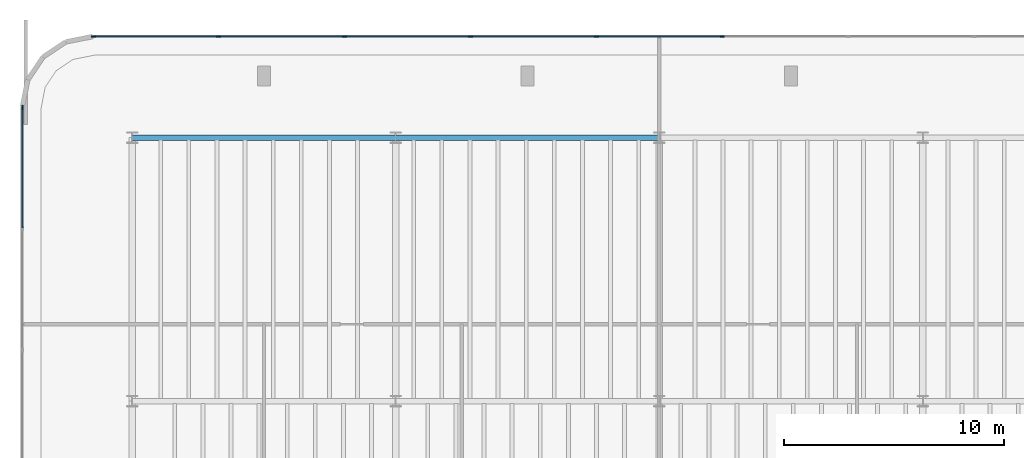
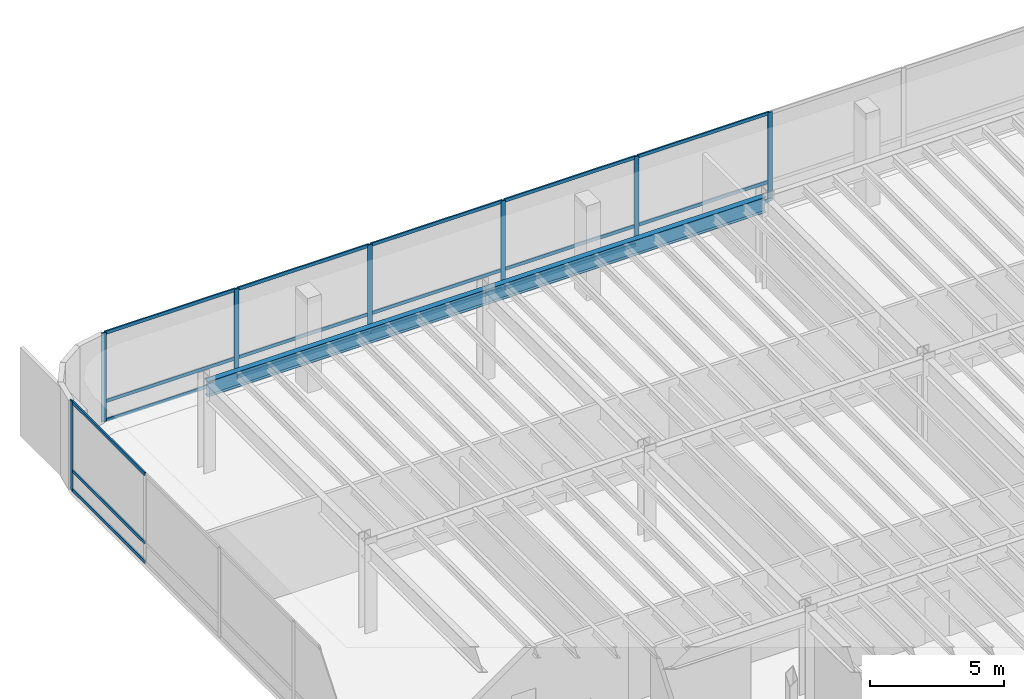
# One storey, part 8 of 18: 25 members, 2 beams, 2 elements without a shape of their own.
"""IFC4 building model written with IfcOpenShell, lengths in metres."""

from ifc_helpers import new_model, si_unit, direction, frame, origin, origin_2d, place, context, subcontext, project, spatial, rectangle, i_section, extrude, source, transform, mapped, material, layer, layer_set, material_profile, profile_set, type_object, element, aggregate, save


model = new_model("IFC4")

# Units and contexts
model_context = context("Model", 3, precision=1e-05, world=origin(), true_north=direction((0.0, 1.0)))
body_context = subcontext(model_context, "Body", "Model", "MODEL_VIEW")
ifc_project = project(units=[si_unit("LENGTHUNIT", "METRE"), si_unit("AREAUNIT", "SQUARE_METRE"), si_unit("VOLUMEUNIT", "CUBIC_METRE"), si_unit("PLANEANGLEUNIT", "RADIAN"), si_unit("MASSUNIT", "GRAM", prefix="KILO")], contexts=[model_context])

# Site, building, storey
site_placement = place(None, origin())
site = spatial("IfcSite", under=ifc_project, at=site_placement, CompositionType="ELEMENT")
building_placement = place(site_placement, origin())
building = spatial("IfcBuilding", under=site, at=building_placement, Name="Brelvock Crest Care Tower", CompositionType="ELEMENT")
storey_placement = place(building_placement, frame((0.0, 0.0, 9.719970703125)))
storey = spatial("IfcBuildingStorey", under=building, at=storey_placement, Name="L02", CompositionType="ELEMENT", Elevation=9.719970703125)

# Beams
ifc_material_1 = material(Name="Steel Grade 350", Category="steel")
ifc_material_profile_1 = material_profile(ifc_material_1, i_section(OverallWidth=0.25, OverallDepth=0.699951171875, WebThickness=0.011962890625, FlangeThickness=0.02001953125, at=origin_2d()), Name="700WB150")
ifc_profile_set_1 = profile_set([ifc_material_profile_1], Name="Steel Grade 350")
beam_type = type_object("IfcBeamType", Name="BM-G4", PredefinedType="BEAM", material=ifc_profile_set_1)
shared_shape_1 = source(origin(), body_context, "Body", "SweptSolid", [
    extrude(i_section(OverallWidth=0.25, OverallDepth=0.699951171875, WebThickness=0.011962890625, FlangeThickness=0.02001953125, at=origin_2d()), origin(), (0.0, 0.0, 1.0), 12.0),
])
for number, where, z_axis, x_axis, name in (
    (1, (12.0, 54.0, 3.68994140625), (1.0, 0.0, 0.0), (0.0, 1.0, 0.0), "BM-PODX-L02-54-12"),
    (2, (24.0, 54.0, 3.68994140625), (1.0, 0.0, 0.0), (0.0, 1.0, 0.0), "BM-PODX-L02-54-24"),
):
    element("IfcBeam", number, at=place(storey_placement, frame(where, z_axis=z_axis, x_axis=x_axis)), inside=storey, type_object=beam_type, Name=name, PredefinedType="BEAM", context=body_context, shape_type="MappedRepresentation", body=[
        mapped(shared_shape_1, transform((0.0, 0.0, 0.0), x_axis=(1.0, 0.0, 0.0), y_axis=(0.0, 1.0, 0.0), z_axis=(0.0, 0.0, 1.0), scale=1.0)),
    ])

# Curtain wall, member
ifc_material_2 = material(Name="Dark Glass Double Glazed Low-E", Category="glass")
ifc_layer = layer(ifc_material_2, 0.179931640625, Name="CWS-1")
ifc_layer_set = layer_set([ifc_layer], Name="Dark Glass Double Glazed Low-E")
curtain_wall_type = type_object("IfcCurtainWallType", Name="CWS-1", PredefinedType="NOTDEFINED", material=ifc_layer_set)
curtain_wall_1_placement = place(storey_placement, origin())
curtain_wall_1 = element("IfcCurtainWall", 3, at=curtain_wall_1_placement, inside=storey, type_object=curtain_wall_type, Name="L02 Curtain Wall E04", PredefinedType="NOTDEFINED")
ifc_material_3 = material(Name="Aluminium 6063-T6", Category="aluminium")
ifc_material_profile_2 = material_profile(ifc_material_3, rectangle(XDim=0.06494140625, YDim=0.199951171875, at=origin_2d()), Name="ALU65x200")
ifc_profile_set_2 = profile_set([ifc_material_profile_2], Name="Aluminium 6063-T6")
member_type_1 = type_object("IfcMemberType", Name="CWM-1", PredefinedType="MULLION", material=ifc_profile_set_2)
shared_shape_2 = source(origin(), body_context, "Body", "SweptSolid", [
    extrude(rectangle(XDim=0.06494140625, YDim=0.199951171875, at=origin_2d()), origin(), (0.0, 0.0, 1.0), 4.0400390625),
])
member_1_placement = place(storey_placement, frame((7.0, 55.367431640625, 0.0), z_axis=(0.0, 0.0, 1.0), x_axis=(-1.0, 0.0, 0.0)))
member_1 = element("IfcMember", 4, at=member_1_placement, type_object=member_type_1, Name="CW-1 mullion 10", PredefinedType="MULLION", context=body_context, shape_type="MappedRepresentation", body=[
    mapped(shared_shape_2, transform((0.0, 0.0, 0.0), x_axis=(1.0, 0.0, 0.0), y_axis=(0.0, 1.0, 0.0), z_axis=(0.0, 0.0, 1.0), scale=1.0)),
])

# Curtain wall, members
curtain_wall_2_placement = place(storey_placement, origin())
curtain_wall_2 = element("IfcCurtainWall", 5, at=curtain_wall_2_placement, inside=storey, type_object=curtain_wall_type, Name="L02 Curtain Wall E09", PredefinedType="NOTDEFINED")
member_2_placement = place(storey_placement, frame((10.232421875, 58.60009765625, 0.0), z_axis=(0.0, 0.0, 1.0), x_axis=(0.0, 1.0, 0.0)))
member_2 = element("IfcMember", 6, at=member_2_placement, type_object=member_type_1, Name="CW-1 mullion 1", PredefinedType="MULLION", context=body_context, shape_type="MappedRepresentation", body=[
    mapped(shared_shape_2, transform((0.0, 0.0, 0.0), x_axis=(1.0, 0.0, 0.0), y_axis=(0.0, 1.0, 0.0), z_axis=(0.0, 0.0, 1.0), scale=1.0)),
])
member_3_placement = place(storey_placement, frame((15.933349609375, 58.60009765625, 0.0), z_axis=(0.0, 0.0, 1.0), x_axis=(0.0, 1.0, 0.0)))
member_3 = element("IfcMember", 7, at=member_3_placement, type_object=member_type_1, Name="CW-1 mullion 2", PredefinedType="MULLION", context=body_context, shape_type="MappedRepresentation", body=[
    mapped(shared_shape_2, transform((0.0, 0.0, 0.0), x_axis=(1.0, 0.0, 0.0), y_axis=(0.0, 1.0, 0.0), z_axis=(0.0, 0.0, 1.0), scale=1.0)),
])
member_4_placement = place(storey_placement, frame((21.666748046875, 58.60009765625, 0.0), z_axis=(0.0, 0.0, 1.0), x_axis=(0.0, 1.0, 0.0)))
member_4 = element("IfcMember", 8, at=member_4_placement, type_object=member_type_1, Name="CW-1 mullion 3", PredefinedType="MULLION", context=body_context, shape_type="MappedRepresentation", body=[
    mapped(shared_shape_2, transform((0.0, 0.0, 0.0), x_axis=(1.0, 0.0, 0.0), y_axis=(0.0, 1.0, 0.0), z_axis=(0.0, 0.0, 1.0), scale=1.0)),
])
member_5_placement = place(storey_placement, frame((27.39990234375, 58.60009765625, 0.0), z_axis=(0.0, 0.0, 1.0), x_axis=(0.0, 1.0, 0.0)))
member_5 = element("IfcMember", 9, at=member_5_placement, type_object=member_type_1, Name="CW-1 mullion 4", PredefinedType="MULLION", context=body_context, shape_type="MappedRepresentation", body=[
    mapped(shared_shape_2, transform((0.0, 0.0, 0.0), x_axis=(1.0, 0.0, 0.0), y_axis=(0.0, 1.0, 0.0), z_axis=(0.0, 0.0, 1.0), scale=1.0)),
])
member_6_placement = place(storey_placement, frame((33.13330078125, 58.60009765625, 0.0), z_axis=(0.0, 0.0, 1.0), x_axis=(0.0, 1.0, 0.0)))
member_6 = element("IfcMember", 10, at=member_6_placement, type_object=member_type_1, Name="CW-1 mullion 5", PredefinedType="MULLION", context=body_context, shape_type="MappedRepresentation", body=[
    mapped(shared_shape_2, transform((0.0, 0.0, 0.0), x_axis=(1.0, 0.0, 0.0), y_axis=(0.0, 1.0, 0.0), z_axis=(0.0, 0.0, 1.0), scale=1.0)),
])
member_7_placement = place(storey_placement, frame((38.86669921875, 58.60009765625, 0.0), z_axis=(0.0, 0.0, 1.0), x_axis=(0.0, 1.0, 0.0)))
member_7 = element("IfcMember", 11, at=member_7_placement, type_object=member_type_1, Name="CW-1 mullion 6", PredefinedType="MULLION", context=body_context, shape_type="MappedRepresentation", body=[
    mapped(shared_shape_2, transform((0.0, 0.0, 0.0), x_axis=(1.0, 0.0, 0.0), y_axis=(0.0, 1.0, 0.0), z_axis=(0.0, 0.0, 1.0), scale=1.0)),
])

# Member
ifc_material_profile_3 = material_profile(ifc_material_3, rectangle(XDim=0.06494140625, YDim=0.14990234375, at=origin_2d()), Name="ALU65x150")
ifc_profile_set_3 = profile_set([ifc_material_profile_3], Name="Aluminium 6063-T6")
member_type_2 = type_object("IfcMemberType", Name="CWT-1", PredefinedType="USERDEFINED", material=ifc_profile_set_3)
shared_shape_3 = source(origin(), body_context, "Body", "SweptSolid", [
    extrude(rectangle(XDim=0.06494140625, YDim=0.14990234375, at=origin_2d()), origin(), (0.0, 0.0, 1.0), 5.435791015625),
])
member_8_placement = place(storey_placement, frame((7.0, 49.899169921875, 0.032470703125), z_axis=(0.0, 1.0, 0.0), x_axis=(-1.0, 0.0, 0.0)))
member_8 = element("IfcMember", 12, at=member_8_placement, type_object=member_type_2, Name="CW-1 transom 9.1", ObjectType="TRANSOM", PredefinedType="USERDEFINED", context=body_context, shape_type="MappedRepresentation", body=[
    mapped(shared_shape_3, transform((0.0, 0.0, 0.0), x_axis=(1.0, 0.0, 0.0), y_axis=(0.0, 1.0, 0.0), z_axis=(0.0, 0.0, 1.0), scale=1.0)),
])

member_9_placement = place(storey_placement, frame((7.0, 49.899169921875, 0.900146484375), z_axis=(0.0, 1.0, 0.0), x_axis=(-1.0, 0.0, 0.0)))
member_9 = element("IfcMember", 13, at=member_9_placement, type_object=member_type_2, Name="CW-1 transom 9.2", ObjectType="TRANSOM", PredefinedType="USERDEFINED", context=body_context, shape_type="MappedRepresentation", body=[
    mapped(shared_shape_3, transform((0.0, 0.0, 0.0), x_axis=(1.0, 0.0, 0.0), y_axis=(0.0, 1.0, 0.0), z_axis=(0.0, 0.0, 1.0), scale=1.0)),
])

member_10_placement = place(storey_placement, frame((7.0, 49.899169921875, 4.007568359375), z_axis=(0.0, 1.0, 0.0), x_axis=(-1.0, 0.0, 0.0)))
member_10 = element("IfcMember", 14, at=member_10_placement, type_object=member_type_2, Name="CW-1 transom 9.3", ObjectType="TRANSOM", PredefinedType="USERDEFINED", context=body_context, shape_type="MappedRepresentation", body=[
    mapped(shared_shape_3, transform((0.0, 0.0, 0.0), x_axis=(1.0, 0.0, 0.0), y_axis=(0.0, 1.0, 0.0), z_axis=(0.0, 0.0, 1.0), scale=1.0)),
])

aggregate(curtain_wall_1, [member_1, member_8, member_9, member_10])

shared_shape_4 = source(origin(), body_context, "Body", "SweptSolid", [
    extrude(rectangle(XDim=0.06494140625, YDim=0.14990234375, at=origin_2d()), origin(), (0.0, 0.0, 1.0), 5.635986328125),
])
member_11_placement = place(storey_placement, frame((10.264892578125, 58.60009765625, 0.032470703125), z_axis=(1.0, 0.0, 0.0), x_axis=(0.0, 1.0, 0.0)))
member_11 = element("IfcMember", 15, at=member_11_placement, type_object=member_type_2, Name="CW-1 transom 1.1", ObjectType="TRANSOM", PredefinedType="USERDEFINED", context=body_context, shape_type="MappedRepresentation", body=[
    mapped(shared_shape_4, transform((0.0, 0.0, 0.0), x_axis=(1.0, 0.0, 0.0), y_axis=(0.0, 1.0, 0.0), z_axis=(0.0, 0.0, 1.0), scale=1.0)),
])

member_12_placement = place(storey_placement, frame((10.264892578125, 58.60009765625, 0.900146484375), z_axis=(1.0, 0.0, 0.0), x_axis=(0.0, 1.0, 0.0)))
member_12 = element("IfcMember", 16, at=member_12_placement, type_object=member_type_2, Name="CW-1 transom 1.2", ObjectType="TRANSOM", PredefinedType="USERDEFINED", context=body_context, shape_type="MappedRepresentation", body=[
    mapped(shared_shape_4, transform((0.0, 0.0, 0.0), x_axis=(1.0, 0.0, 0.0), y_axis=(0.0, 1.0, 0.0), z_axis=(0.0, 0.0, 1.0), scale=1.0)),
])

member_13_placement = place(storey_placement, frame((10.264892578125, 58.60009765625, 4.007568359375), z_axis=(1.0, 0.0, 0.0), x_axis=(0.0, 1.0, 0.0)))
member_13 = element("IfcMember", 17, at=member_13_placement, type_object=member_type_2, Name="CW-1 transom 1.3", ObjectType="TRANSOM", PredefinedType="USERDEFINED", context=body_context, shape_type="MappedRepresentation", body=[
    mapped(shared_shape_4, transform((0.0, 0.0, 0.0), x_axis=(1.0, 0.0, 0.0), y_axis=(0.0, 1.0, 0.0), z_axis=(0.0, 0.0, 1.0), scale=1.0)),
])

shared_shape_5 = source(origin(), body_context, "Body", "SweptSolid", [
    extrude(rectangle(XDim=0.06494140625, YDim=0.14990234375, at=origin_2d()), origin(), (0.0, 0.0, 1.0), 5.66845703125),
])
member_14_placement = place(storey_placement, frame((15.9658203125, 58.60009765625, 0.032470703125), z_axis=(1.0, 0.0, 0.0), x_axis=(0.0, 1.0, 0.0)))
member_14 = element("IfcMember", 18, at=member_14_placement, type_object=member_type_2, Name="CW-1 transom 2.1", ObjectType="TRANSOM", PredefinedType="USERDEFINED", context=body_context, shape_type="MappedRepresentation", body=[
    mapped(shared_shape_5, transform((0.0, 0.0, 0.0), x_axis=(1.0, 0.0, 0.0), y_axis=(0.0, 1.0, 0.0), z_axis=(0.0, 0.0, 1.0), scale=1.0)),
])

member_15_placement = place(storey_placement, frame((15.9658203125, 58.60009765625, 0.900146484375), z_axis=(1.0, 0.0, 0.0), x_axis=(0.0, 1.0, 0.0)))
member_15 = element("IfcMember", 19, at=member_15_placement, type_object=member_type_2, Name="CW-1 transom 2.2", ObjectType="TRANSOM", PredefinedType="USERDEFINED", context=body_context, shape_type="MappedRepresentation", body=[
    mapped(shared_shape_5, transform((0.0, 0.0, 0.0), x_axis=(1.0, 0.0, 0.0), y_axis=(0.0, 1.0, 0.0), z_axis=(0.0, 0.0, 1.0), scale=1.0)),
])

member_16_placement = place(storey_placement, frame((15.9658203125, 58.60009765625, 4.007568359375), z_axis=(1.0, 0.0, 0.0), x_axis=(0.0, 1.0, 0.0)))
member_16 = element("IfcMember", 20, at=member_16_placement, type_object=member_type_2, Name="CW-1 transom 2.3", ObjectType="TRANSOM", PredefinedType="USERDEFINED", context=body_context, shape_type="MappedRepresentation", body=[
    mapped(shared_shape_5, transform((0.0, 0.0, 0.0), x_axis=(1.0, 0.0, 0.0), y_axis=(0.0, 1.0, 0.0), z_axis=(0.0, 0.0, 1.0), scale=1.0)),
])

member_17_placement = place(storey_placement, frame((33.165771484375, 58.60009765625, 0.032470703125), z_axis=(1.0, 0.0, 0.0), x_axis=(0.0, 1.0, 0.0)))
member_17 = element("IfcMember", 21, at=member_17_placement, type_object=member_type_2, Name="CW-1 transom 5.1", ObjectType="TRANSOM", PredefinedType="USERDEFINED", context=body_context, shape_type="MappedRepresentation", body=[
    mapped(shared_shape_5, transform((0.0, 0.0, 0.0), x_axis=(1.0, 0.0, 0.0), y_axis=(0.0, 1.0, 0.0), z_axis=(0.0, 0.0, 1.0), scale=1.0)),
])

member_18_placement = place(storey_placement, frame((33.165771484375, 58.60009765625, 0.900146484375), z_axis=(1.0, 0.0, 0.0), x_axis=(0.0, 1.0, 0.0)))
member_18 = element("IfcMember", 22, at=member_18_placement, type_object=member_type_2, Name="CW-1 transom 5.2", ObjectType="TRANSOM", PredefinedType="USERDEFINED", context=body_context, shape_type="MappedRepresentation", body=[
    mapped(shared_shape_5, transform((0.0, 0.0, 0.0), x_axis=(1.0, 0.0, 0.0), y_axis=(0.0, 1.0, 0.0), z_axis=(0.0, 0.0, 1.0), scale=1.0)),
])

member_19_placement = place(storey_placement, frame((33.165771484375, 58.60009765625, 4.007568359375), z_axis=(1.0, 0.0, 0.0), x_axis=(0.0, 1.0, 0.0)))
member_19 = element("IfcMember", 23, at=member_19_placement, type_object=member_type_2, Name="CW-1 transom 5.3", ObjectType="TRANSOM", PredefinedType="USERDEFINED", context=body_context, shape_type="MappedRepresentation", body=[
    mapped(shared_shape_5, transform((0.0, 0.0, 0.0), x_axis=(1.0, 0.0, 0.0), y_axis=(0.0, 1.0, 0.0), z_axis=(0.0, 0.0, 1.0), scale=1.0)),
])

shared_shape_6 = source(origin(), body_context, "Body", "SweptSolid", [
    extrude(rectangle(XDim=0.06494140625, YDim=0.14990234375, at=origin_2d()), origin(), (0.0, 0.0, 1.0), 5.668212890625),
])
member_20_placement = place(storey_placement, frame((21.69921875, 58.60009765625, 0.032470703125), z_axis=(1.0, 0.0, 0.0), x_axis=(0.0, 1.0, 0.0)))
member_20 = element("IfcMember", 24, at=member_20_placement, type_object=member_type_2, Name="CW-1 transom 3.1", ObjectType="TRANSOM", PredefinedType="USERDEFINED", context=body_context, shape_type="MappedRepresentation", body=[
    mapped(shared_shape_6, transform((0.0, 0.0, 0.0), x_axis=(1.0, 0.0, 0.0), y_axis=(0.0, 1.0, 0.0), z_axis=(0.0, 0.0, 1.0), scale=1.0)),
])

member_21_placement = place(storey_placement, frame((21.69921875, 58.60009765625, 0.900146484375), z_axis=(1.0, 0.0, 0.0), x_axis=(0.0, 1.0, 0.0)))
member_21 = element("IfcMember", 25, at=member_21_placement, type_object=member_type_2, Name="CW-1 transom 3.2", ObjectType="TRANSOM", PredefinedType="USERDEFINED", context=body_context, shape_type="MappedRepresentation", body=[
    mapped(shared_shape_6, transform((0.0, 0.0, 0.0), x_axis=(1.0, 0.0, 0.0), y_axis=(0.0, 1.0, 0.0), z_axis=(0.0, 0.0, 1.0), scale=1.0)),
])

member_22_placement = place(storey_placement, frame((21.69921875, 58.60009765625, 4.007568359375), z_axis=(1.0, 0.0, 0.0), x_axis=(0.0, 1.0, 0.0)))
member_22 = element("IfcMember", 26, at=member_22_placement, type_object=member_type_2, Name="CW-1 transom 3.3", ObjectType="TRANSOM", PredefinedType="USERDEFINED", context=body_context, shape_type="MappedRepresentation", body=[
    mapped(shared_shape_6, transform((0.0, 0.0, 0.0), x_axis=(1.0, 0.0, 0.0), y_axis=(0.0, 1.0, 0.0), z_axis=(0.0, 0.0, 1.0), scale=1.0)),
])

member_23_placement = place(storey_placement, frame((27.4326171875, 58.60009765625, 0.032470703125), z_axis=(1.0, 0.0, 0.0), x_axis=(0.0, 1.0, 0.0)))
member_23 = element("IfcMember", 27, at=member_23_placement, type_object=member_type_2, Name="CW-1 transom 4.1", ObjectType="TRANSOM", PredefinedType="USERDEFINED", context=body_context, shape_type="MappedRepresentation", body=[
    mapped(shared_shape_6, transform((0.0, 0.0, 0.0), x_axis=(1.0, 0.0, 0.0), y_axis=(0.0, 1.0, 0.0), z_axis=(0.0, 0.0, 1.0), scale=1.0)),
])

member_24_placement = place(storey_placement, frame((27.4326171875, 58.60009765625, 0.900146484375), z_axis=(1.0, 0.0, 0.0), x_axis=(0.0, 1.0, 0.0)))
member_24 = element("IfcMember", 28, at=member_24_placement, type_object=member_type_2, Name="CW-1 transom 4.2", ObjectType="TRANSOM", PredefinedType="USERDEFINED", context=body_context, shape_type="MappedRepresentation", body=[
    mapped(shared_shape_6, transform((0.0, 0.0, 0.0), x_axis=(1.0, 0.0, 0.0), y_axis=(0.0, 1.0, 0.0), z_axis=(0.0, 0.0, 1.0), scale=1.0)),
])

member_25_placement = place(storey_placement, frame((27.4326171875, 58.60009765625, 4.007568359375), z_axis=(1.0, 0.0, 0.0), x_axis=(0.0, 1.0, 0.0)))
member_25 = element("IfcMember", 29, at=member_25_placement, type_object=member_type_2, Name="CW-1 transom 4.3", ObjectType="TRANSOM", PredefinedType="USERDEFINED", context=body_context, shape_type="MappedRepresentation", body=[
    mapped(shared_shape_6, transform((0.0, 0.0, 0.0), x_axis=(1.0, 0.0, 0.0), y_axis=(0.0, 1.0, 0.0), z_axis=(0.0, 0.0, 1.0), scale=1.0)),
])

aggregate(curtain_wall_2, [member_2, member_3, member_4, member_5, member_6, member_7, member_11, member_12, member_13, member_14, member_15, member_16, member_20, member_21, member_22, member_23, member_24, member_25, member_17, member_18, member_19])

save(model, "model.ifc")
